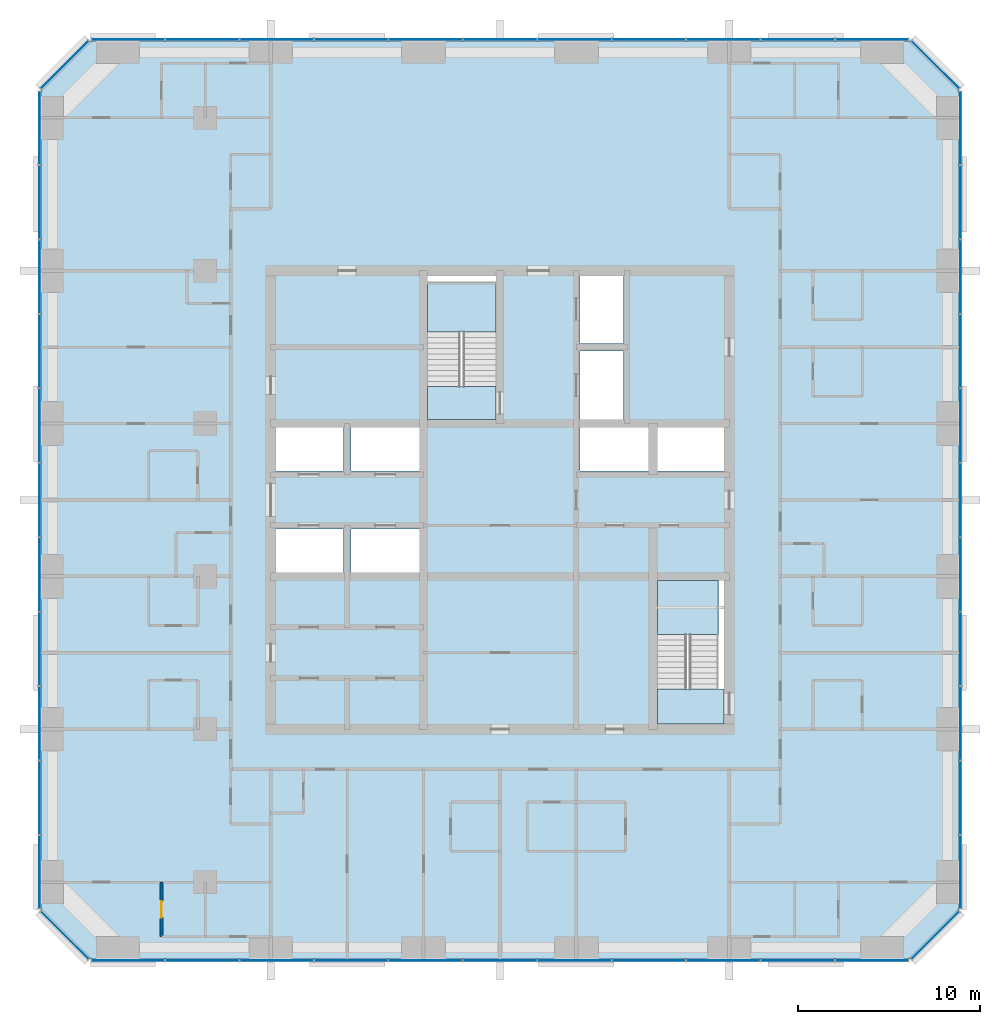
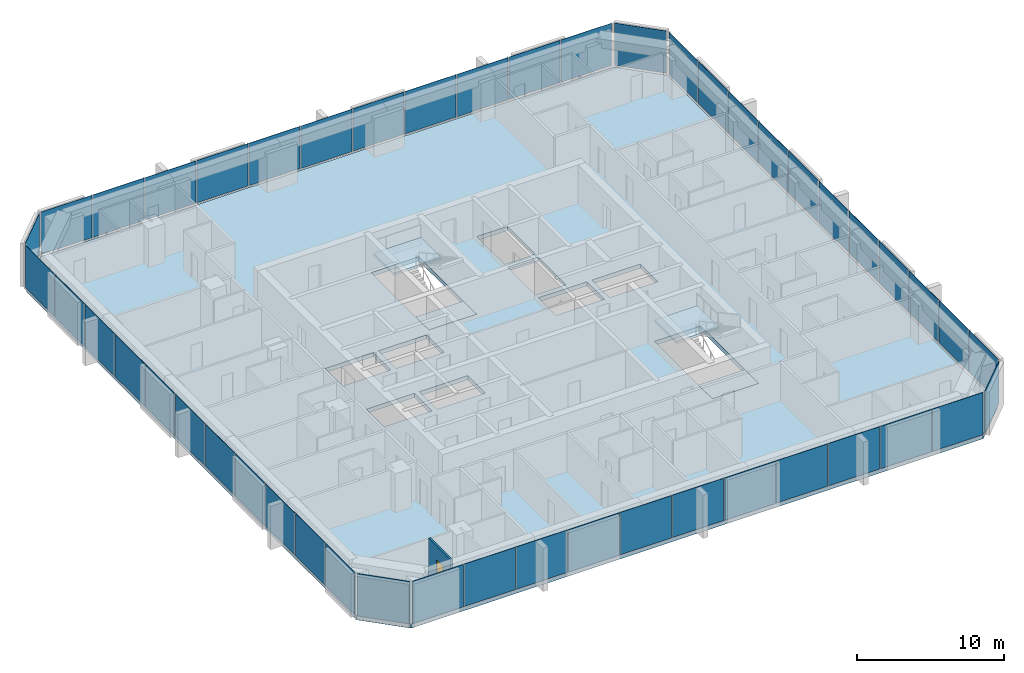
# One storey, part 7 of 13: 48 plates, 5 slabs, 1 door, 1 wall, 1 opening, 10 elements without a shape of their own.
"""IFC4 building model written with IfcOpenShell, lengths in metres."""

from ifc_helpers import new_model, si_unit, direction, frame, frame_2d, origin, origin_2d, place, context, subcontext, project, spatial, polyline, rectangle, outline, extrude, material, layer, layer_set, type_object, element, fill, aggregate, save


model = new_model("IFC4")

# Units and contexts
model_context = context("Model", 3, precision=1e-05, world=origin(), true_north=direction((0.0, 1.0)))
body_context = subcontext(model_context, "Body", "Model", "MODEL_VIEW")
ifc_project = project(units=[si_unit("LENGTHUNIT", "METRE"), si_unit("AREAUNIT", "SQUARE_METRE"), si_unit("VOLUMEUNIT", "CUBIC_METRE"), si_unit("PLANEANGLEUNIT", "RADIAN"), si_unit("MASSUNIT", "GRAM", prefix="KILO")], contexts=[model_context])

# Site, building, storey
site_placement = place(None, origin())
site = spatial("IfcSite", under=ifc_project, at=site_placement, CompositionType="ELEMENT")
building_placement = place(site_placement, origin())
building = spatial("IfcBuilding", under=site, at=building_placement, Name="Dunama Terrace Hotel", CompositionType="ELEMENT")
storey_placement = place(building_placement, frame((0.0, 0.0, 205.800048828125)))
storey = spatial("IfcBuildingStorey", under=building, at=storey_placement, Name="L53", CompositionType="ELEMENT", Elevation=205.800048828125)

# Curtain wall, plates
ifc_material_1 = material(Name="Aluminium curtain wall system", Category="aluminium")
curtain_wall_type = type_object("IfcCurtainWallType", Name="Unitised fritted glass wall CW-C", PredefinedType="NOTDEFINED", material=ifc_material_1)
curtain_wall_1_placement = place(storey_placement, origin())
curtain_wall_1 = element("IfcCurtainWall", 1, at=curtain_wall_1_placement, inside=storey, type_object=curtain_wall_type, Name="Unitised fritted glass wall CW-C L53", PredefinedType="NOTDEFINED")
ifc_material_2 = material(Name="Laminated glass", Category="glass")
ifc_layer_1 = layer(ifc_material_2, 0.031982421875)
ifc_layer_set_1 = layer_set([ifc_layer_1], Name="CWC clear glass panel")
plate_type_1 = type_object("IfcPlateType", Name="CWC clear glass panel", PredefinedType="CURTAIN_PANEL", material=ifc_layer_set_1)
plate_1_placement = place(storey_placement, frame((17.126953125, 4.10009765625, 0.079833984375), z_axis=(0.0, 0.0, 1.0), x_axis=(1.0, 0.0, 0.0)))
plate_1 = element("IfcPlate", 2, at=plate_1_placement, type_object=plate_type_1, Name="CWC clear glass panel", PredefinedType="CURTAIN_PANEL", context=body_context, shape_type="SweptSolid", body=[
    extrude(rectangle(XDim=4.02099609375, YDim=0.031982421875, at=origin_2d()), origin(), (0.0, 0.0, 1.0), 3.52001953125),
])
plate_2_placement = place(storey_placement, frame((29.39990234375, 4.10009765625, 0.079833984375), z_axis=(0.0, 0.0, 1.0), x_axis=(1.0, 0.0, 0.0)))
plate_2 = element("IfcPlate", 3, at=plate_2_placement, type_object=plate_type_1, Name="CWC clear glass panel", PredefinedType="CURTAIN_PANEL", context=body_context, shape_type="SweptSolid", body=[
    extrude(rectangle(XDim=4.02099609375, YDim=0.031982421875, at=origin_2d()), origin(), (0.0, 0.0, 1.0), 3.52001953125),
])
plate_3_placement = place(storey_placement, frame((41.673095703125, 4.10009765625, 0.079833984375), z_axis=(0.0, 0.0, 1.0), x_axis=(1.0, 0.0, 0.0)))
plate_3 = element("IfcPlate", 4, at=plate_3_placement, type_object=plate_type_1, Name="CWC clear glass panel", PredefinedType="CURTAIN_PANEL", context=body_context, shape_type="SweptSolid", body=[
    extrude(rectangle(XDim=4.02099609375, YDim=0.031982421875, at=origin_2d()), origin(), (0.0, 0.0, 1.0), 3.52001953125),
])

# Curtain wall, plate
curtain_wall_2_placement = place(storey_placement, origin())
curtain_wall_2 = element("IfcCurtainWall", 5, at=curtain_wall_2_placement, inside=storey, type_object=curtain_wall_type, Name="Unitised fritted glass wall CW-C L53", PredefinedType="NOTDEFINED")
plate_4_placement = place(storey_placement, frame((53.321044921875, 5.47900390625, 0.079833984375), z_axis=(0.0, 0.0, 1.0), x_axis=(0.707106781187, 0.707106781187, 0.0)))
plate_4 = element("IfcPlate", 6, at=plate_4_placement, type_object=plate_type_1, Name="CWC clear glass panel", PredefinedType="CURTAIN_PANEL", context=body_context, shape_type="SweptSolid", body=[
    extrude(rectangle(XDim=3.678466796875, YDim=0.031982421875, at=origin_2d()), origin(), (0.0, 0.0, 1.0), 3.52001953125),
])
aggregate(curtain_wall_2, [plate_4])

# Curtain wall, plates
curtain_wall_3_placement = place(storey_placement, origin())
curtain_wall_3 = element("IfcCurtainWall", 7, at=curtain_wall_3_placement, inside=storey, type_object=curtain_wall_type, Name="Unitised fritted glass wall CW-C L53", PredefinedType="NOTDEFINED")
plate_5_placement = place(storey_placement, frame((54.699951171875, 17.126953125, 0.079833984375), z_axis=(0.0, 0.0, 1.0), x_axis=(0.0, 1.0, 0.0)))
plate_5 = element("IfcPlate", 8, at=plate_5_placement, type_object=plate_type_1, Name="CWC clear glass panel", PredefinedType="CURTAIN_PANEL", context=body_context, shape_type="SweptSolid", body=[
    extrude(rectangle(XDim=4.02099609375, YDim=0.031982421875, at=origin_2d()), origin(), (0.0, 0.0, 1.0), 3.52001953125),
])
plate_6_placement = place(storey_placement, frame((54.699951171875, 29.39990234375, 0.079833984375), z_axis=(0.0, 0.0, 1.0), x_axis=(0.0, 1.0, 0.0)))
plate_6 = element("IfcPlate", 9, at=plate_6_placement, type_object=plate_type_1, Name="CWC clear glass panel", PredefinedType="CURTAIN_PANEL", context=body_context, shape_type="SweptSolid", body=[
    extrude(rectangle(XDim=4.02099609375, YDim=0.031982421875, at=origin_2d()), origin(), (0.0, 0.0, 1.0), 3.52001953125),
])
plate_7_placement = place(storey_placement, frame((54.699951171875, 41.673095703125, 0.079833984375), z_axis=(0.0, 0.0, 1.0), x_axis=(0.0, 1.0, 0.0)))
plate_7 = element("IfcPlate", 10, at=plate_7_placement, type_object=plate_type_1, Name="CWC clear glass panel", PredefinedType="CURTAIN_PANEL", context=body_context, shape_type="SweptSolid", body=[
    extrude(rectangle(XDim=4.02099609375, YDim=0.031982421875, at=origin_2d()), origin(), (0.0, 0.0, 1.0), 3.52001953125),
])

# Curtain wall, plate
curtain_wall_4_placement = place(storey_placement, origin())
curtain_wall_4 = element("IfcCurtainWall", 11, at=curtain_wall_4_placement, inside=storey, type_object=curtain_wall_type, Name="Unitised fritted glass wall CW-C L53", PredefinedType="NOTDEFINED")
plate_8_placement = place(storey_placement, frame((53.321044921875, 53.321044921875, 0.079833984375), z_axis=(0.0, 0.0, 1.0), x_axis=(-0.707106781187, 0.707106781187, 0.0)))
plate_8 = element("IfcPlate", 12, at=plate_8_placement, type_object=plate_type_1, Name="CWC clear glass panel", PredefinedType="CURTAIN_PANEL", context=body_context, shape_type="SweptSolid", body=[
    extrude(rectangle(XDim=3.678466796875, YDim=0.031982421875, at=origin_2d()), origin(), (0.0, 0.0, 1.0), 3.52001953125),
])
aggregate(curtain_wall_4, [plate_8])

# Curtain wall, plates
curtain_wall_5_placement = place(storey_placement, origin())
curtain_wall_5 = element("IfcCurtainWall", 13, at=curtain_wall_5_placement, inside=storey, type_object=curtain_wall_type, Name="Unitised fritted glass wall CW-C L53", PredefinedType="NOTDEFINED")
plate_9_placement = place(storey_placement, frame((41.673095703125, 54.699951171875, 0.079833984375), z_axis=(0.0, 0.0, 1.0), x_axis=(-1.0, 0.0, 0.0)))
plate_9 = element("IfcPlate", 14, at=plate_9_placement, type_object=plate_type_1, Name="CWC clear glass panel", PredefinedType="CURTAIN_PANEL", context=body_context, shape_type="SweptSolid", body=[
    extrude(rectangle(XDim=4.02099609375, YDim=0.031982421875, at=origin_2d()), origin(), (0.0, 0.0, 1.0), 3.52001953125),
])
plate_10_placement = place(storey_placement, frame((29.39990234375, 54.699951171875, 0.079833984375), z_axis=(0.0, 0.0, 1.0), x_axis=(-1.0, 0.0, 0.0)))
plate_10 = element("IfcPlate", 15, at=plate_10_placement, type_object=plate_type_1, Name="CWC clear glass panel", PredefinedType="CURTAIN_PANEL", context=body_context, shape_type="SweptSolid", body=[
    extrude(rectangle(XDim=4.02099609375, YDim=0.031982421875, at=origin_2d()), origin(), (0.0, 0.0, 1.0), 3.52001953125),
])
plate_11_placement = place(storey_placement, frame((17.126953125, 54.699951171875, 0.079833984375), z_axis=(0.0, 0.0, 1.0), x_axis=(-1.0, 0.0, 0.0)))
plate_11 = element("IfcPlate", 16, at=plate_11_placement, type_object=plate_type_1, Name="CWC clear glass panel", PredefinedType="CURTAIN_PANEL", context=body_context, shape_type="SweptSolid", body=[
    extrude(rectangle(XDim=4.02099609375, YDim=0.031982421875, at=origin_2d()), origin(), (0.0, 0.0, 1.0), 3.52001953125),
])

# Curtain wall, plate
curtain_wall_6_placement = place(storey_placement, origin())
curtain_wall_6 = element("IfcCurtainWall", 17, at=curtain_wall_6_placement, inside=storey, type_object=curtain_wall_type, Name="Unitised fritted glass wall CW-C L53", PredefinedType="NOTDEFINED")
plate_12_placement = place(storey_placement, frame((5.47900390625, 53.321044921875, 0.079833984375), z_axis=(0.0, 0.0, 1.0), x_axis=(-0.707106781187, -0.707106781187, 0.0)))
plate_12 = element("IfcPlate", 18, at=plate_12_placement, type_object=plate_type_1, Name="CWC clear glass panel", PredefinedType="CURTAIN_PANEL", context=body_context, shape_type="SweptSolid", body=[
    extrude(rectangle(XDim=3.678466796875, YDim=0.031982421875, at=origin_2d()), origin(), (0.0, 0.0, 1.0), 3.52001953125),
])
aggregate(curtain_wall_6, [plate_12])

# Curtain wall, plates
curtain_wall_7_placement = place(storey_placement, origin())
curtain_wall_7 = element("IfcCurtainWall", 19, at=curtain_wall_7_placement, inside=storey, type_object=curtain_wall_type, Name="Unitised fritted glass wall CW-C L53", PredefinedType="NOTDEFINED")
plate_13_placement = place(storey_placement, frame((4.10009765625, 41.673095703125, 0.079833984375), z_axis=(0.0, 0.0, 1.0), x_axis=(0.0, -1.0, 0.0)))
plate_13 = element("IfcPlate", 20, at=plate_13_placement, type_object=plate_type_1, Name="CWC clear glass panel", PredefinedType="CURTAIN_PANEL", context=body_context, shape_type="SweptSolid", body=[
    extrude(rectangle(XDim=4.02099609375, YDim=0.031982421875, at=origin_2d()), origin(), (0.0, 0.0, 1.0), 3.52001953125),
])
plate_14_placement = place(storey_placement, frame((4.10009765625, 29.39990234375, 0.079833984375), z_axis=(0.0, 0.0, 1.0), x_axis=(0.0, -1.0, 0.0)))
plate_14 = element("IfcPlate", 21, at=plate_14_placement, type_object=plate_type_1, Name="CWC clear glass panel", PredefinedType="CURTAIN_PANEL", context=body_context, shape_type="SweptSolid", body=[
    extrude(rectangle(XDim=4.02099609375, YDim=0.031982421875, at=origin_2d()), origin(), (0.0, 0.0, 1.0), 3.52001953125),
])
plate_15_placement = place(storey_placement, frame((4.10009765625, 17.126953125, 0.079833984375), z_axis=(0.0, 0.0, 1.0), x_axis=(0.0, -1.0, 0.0)))
plate_15 = element("IfcPlate", 22, at=plate_15_placement, type_object=plate_type_1, Name="CWC clear glass panel", PredefinedType="CURTAIN_PANEL", context=body_context, shape_type="SweptSolid", body=[
    extrude(rectangle(XDim=4.02099609375, YDim=0.031982421875, at=origin_2d()), origin(), (0.0, 0.0, 1.0), 3.52001953125),
])

# Curtain wall, plate
curtain_wall_8_placement = place(storey_placement, origin())
curtain_wall_8 = element("IfcCurtainWall", 23, at=curtain_wall_8_placement, inside=storey, type_object=curtain_wall_type, Name="Unitised fritted glass wall CW-C L53", PredefinedType="NOTDEFINED")
plate_16_placement = place(storey_placement, frame((5.47900390625, 5.47900390625, 0.079833984375), z_axis=(0.0, 0.0, 1.0), x_axis=(0.707106781187, -0.707106781187, 0.0)))
plate_16 = element("IfcPlate", 24, at=plate_16_placement, type_object=plate_type_1, Name="CWC clear glass panel", PredefinedType="CURTAIN_PANEL", context=body_context, shape_type="SweptSolid", body=[
    extrude(rectangle(XDim=3.678466796875, YDim=0.031982421875, at=origin_2d()), origin(), (0.0, 0.0, 1.0), 3.52001953125),
])
aggregate(curtain_wall_8, [plate_16])

# Plate
ifc_material_3 = material(Name="Fritted laminated glass", Category="glass")
ifc_layer_2 = layer(ifc_material_3, 0.031982421875)
ifc_layer_set_2 = layer_set([ifc_layer_2], Name="CWC fritted glass panel")
plate_type_2 = type_object("IfcPlateType", Name="CWC fritted glass panel", PredefinedType="CURTAIN_PANEL", material=ifc_layer_set_2)
plate_17_placement = place(storey_placement, frame((13.035888671875, 4.10009765625, 0.079833984375), z_axis=(0.0, 0.0, 1.0), x_axis=(1.0, 0.0, 0.0)))
plate_17 = element("IfcPlate", 25, at=plate_17_placement, type_object=plate_type_2, Name="CWC fritted glass panel", PredefinedType="CURTAIN_PANEL", context=body_context, shape_type="SweptSolid", body=[
    extrude(rectangle(XDim=4.02099609375, YDim=0.031982421875, at=origin_2d()), origin(), (0.0, 0.0, 1.0), 3.52001953125),
])

plate_18_placement = place(storey_placement, frame((25.30908203125, 4.10009765625, 0.079833984375), z_axis=(0.0, 0.0, 1.0), x_axis=(1.0, 0.0, 0.0)))
plate_18 = element("IfcPlate", 26, at=plate_18_placement, type_object=plate_type_2, Name="CWC fritted glass panel", PredefinedType="CURTAIN_PANEL", context=body_context, shape_type="SweptSolid", body=[
    extrude(rectangle(XDim=4.02099609375, YDim=0.031982421875, at=origin_2d()), origin(), (0.0, 0.0, 1.0), 3.52001953125),
])

plate_19_placement = place(storey_placement, frame((37.58203125, 4.10009765625, 0.079833984375), z_axis=(0.0, 0.0, 1.0), x_axis=(1.0, 0.0, 0.0)))
plate_19 = element("IfcPlate", 27, at=plate_19_placement, type_object=plate_type_2, Name="CWC fritted glass panel", PredefinedType="CURTAIN_PANEL", context=body_context, shape_type="SweptSolid", body=[
    extrude(rectangle(XDim=4.02099609375, YDim=0.031982421875, at=origin_2d()), origin(), (0.0, 0.0, 1.0), 3.52001953125),
])

plate_20_placement = place(storey_placement, frame((49.8369140625, 4.10009765625, 0.079833984375), z_axis=(0.0, 0.0, 1.0), x_axis=(1.0, 0.0, 0.0)))
plate_20 = element("IfcPlate", 28, at=plate_20_placement, type_object=plate_type_2, Name="CWC fritted glass panel", PredefinedType="CURTAIN_PANEL", context=body_context, shape_type="SweptSolid", body=[
    extrude(rectangle(XDim=3.98583984375, YDim=0.031982421875, at=origin_2d()), origin(), (0.0, 0.0, 1.0), 3.52001953125),
])

plate_21_placement = place(storey_placement, frame((54.699951171875, 13.035888671875, 0.079833984375), z_axis=(0.0, 0.0, 1.0), x_axis=(0.0, 1.0, 0.0)))
plate_21 = element("IfcPlate", 29, at=plate_21_placement, type_object=plate_type_2, Name="CWC fritted glass panel", PredefinedType="CURTAIN_PANEL", context=body_context, shape_type="SweptSolid", body=[
    extrude(rectangle(XDim=4.02099609375, YDim=0.031982421875, at=origin_2d()), origin(), (0.0, 0.0, 1.0), 3.52001953125),
])

plate_22_placement = place(storey_placement, frame((54.699951171875, 25.30908203125, 0.079833984375), z_axis=(0.0, 0.0, 1.0), x_axis=(0.0, 1.0, 0.0)))
plate_22 = element("IfcPlate", 30, at=plate_22_placement, type_object=plate_type_2, Name="CWC fritted glass panel", PredefinedType="CURTAIN_PANEL", context=body_context, shape_type="SweptSolid", body=[
    extrude(rectangle(XDim=4.02099609375, YDim=0.031982421875, at=origin_2d()), origin(), (0.0, 0.0, 1.0), 3.52001953125),
])

plate_23_placement = place(storey_placement, frame((54.699951171875, 37.58203125, 0.079833984375), z_axis=(0.0, 0.0, 1.0), x_axis=(0.0, 1.0, 0.0)))
plate_23 = element("IfcPlate", 31, at=plate_23_placement, type_object=plate_type_2, Name="CWC fritted glass panel", PredefinedType="CURTAIN_PANEL", context=body_context, shape_type="SweptSolid", body=[
    extrude(rectangle(XDim=4.02099609375, YDim=0.031982421875, at=origin_2d()), origin(), (0.0, 0.0, 1.0), 3.52001953125),
])

plate_24_placement = place(storey_placement, frame((54.699951171875, 49.8369140625, 0.079833984375), z_axis=(0.0, 0.0, 1.0), x_axis=(0.0, 1.0, 0.0)))
plate_24 = element("IfcPlate", 32, at=plate_24_placement, type_object=plate_type_2, Name="CWC fritted glass panel", PredefinedType="CURTAIN_PANEL", context=body_context, shape_type="SweptSolid", body=[
    extrude(rectangle(XDim=3.98583984375, YDim=0.031982421875, at=origin_2d()), origin(), (0.0, 0.0, 1.0), 3.52001953125),
])

plate_25_placement = place(storey_placement, frame((45.763916015625, 54.699951171875, 0.079833984375), z_axis=(0.0, 0.0, 1.0), x_axis=(-1.0, 0.0, 0.0)))
plate_25 = element("IfcPlate", 33, at=plate_25_placement, type_object=plate_type_2, Name="CWC fritted glass panel", PredefinedType="CURTAIN_PANEL", context=body_context, shape_type="SweptSolid", body=[
    extrude(rectangle(XDim=4.02099609375, YDim=0.031982421875, at=origin_2d()), origin(), (0.0, 0.0, 1.0), 3.52001953125),
])

plate_26_placement = place(storey_placement, frame((33.490966796875, 54.699951171875, 0.079833984375), z_axis=(0.0, 0.0, 1.0), x_axis=(-1.0, 0.0, 0.0)))
plate_26 = element("IfcPlate", 34, at=plate_26_placement, type_object=plate_type_2, Name="CWC fritted glass panel", PredefinedType="CURTAIN_PANEL", context=body_context, shape_type="SweptSolid", body=[
    extrude(rectangle(XDim=4.02099609375, YDim=0.031982421875, at=origin_2d()), origin(), (0.0, 0.0, 1.0), 3.52001953125),
])

plate_27_placement = place(storey_placement, frame((21.218017578125, 54.699951171875, 0.079833984375), z_axis=(0.0, 0.0, 1.0), x_axis=(-1.0, 0.0, 0.0)))
plate_27 = element("IfcPlate", 35, at=plate_27_placement, type_object=plate_type_2, Name="CWC fritted glass panel", PredefinedType="CURTAIN_PANEL", context=body_context, shape_type="SweptSolid", body=[
    extrude(rectangle(XDim=4.02099609375, YDim=0.031982421875, at=origin_2d()), origin(), (0.0, 0.0, 1.0), 3.52001953125),
])

plate_28_placement = place(storey_placement, frame((8.962890625, 54.699951171875, 0.079833984375), z_axis=(0.0, 0.0, 1.0), x_axis=(-1.0, 0.0, 0.0)))
plate_28 = element("IfcPlate", 36, at=plate_28_placement, type_object=plate_type_2, Name="CWC fritted glass panel", PredefinedType="CURTAIN_PANEL", context=body_context, shape_type="SweptSolid", body=[
    extrude(rectangle(XDim=3.98583984375, YDim=0.031982421875, at=origin_2d()), origin(), (0.0, 0.0, 1.0), 3.52001953125),
])

plate_29_placement = place(storey_placement, frame((4.10009765625, 45.763916015625, 0.079833984375), z_axis=(0.0, 0.0, 1.0), x_axis=(0.0, -1.0, 0.0)))
plate_29 = element("IfcPlate", 37, at=plate_29_placement, type_object=plate_type_2, Name="CWC fritted glass panel", PredefinedType="CURTAIN_PANEL", context=body_context, shape_type="SweptSolid", body=[
    extrude(rectangle(XDim=4.02099609375, YDim=0.031982421875, at=origin_2d()), origin(), (0.0, 0.0, 1.0), 3.52001953125),
])

plate_30_placement = place(storey_placement, frame((4.10009765625, 33.490966796875, 0.079833984375), z_axis=(0.0, 0.0, 1.0), x_axis=(0.0, -1.0, 0.0)))
plate_30 = element("IfcPlate", 38, at=plate_30_placement, type_object=plate_type_2, Name="CWC fritted glass panel", PredefinedType="CURTAIN_PANEL", context=body_context, shape_type="SweptSolid", body=[
    extrude(rectangle(XDim=4.02099609375, YDim=0.031982421875, at=origin_2d()), origin(), (0.0, 0.0, 1.0), 3.52001953125),
])

plate_31_placement = place(storey_placement, frame((4.10009765625, 21.218017578125, 0.079833984375), z_axis=(0.0, 0.0, 1.0), x_axis=(0.0, -1.0, 0.0)))
plate_31 = element("IfcPlate", 39, at=plate_31_placement, type_object=plate_type_2, Name="CWC fritted glass panel", PredefinedType="CURTAIN_PANEL", context=body_context, shape_type="SweptSolid", body=[
    extrude(rectangle(XDim=4.02099609375, YDim=0.031982421875, at=origin_2d()), origin(), (0.0, 0.0, 1.0), 3.52001953125),
])

plate_32_placement = place(storey_placement, frame((4.10009765625, 8.962890625, 0.079833984375), z_axis=(0.0, 0.0, 1.0), x_axis=(0.0, -1.0, 0.0)))
plate_32 = element("IfcPlate", 40, at=plate_32_placement, type_object=plate_type_2, Name="CWC fritted glass panel", PredefinedType="CURTAIN_PANEL", context=body_context, shape_type="SweptSolid", body=[
    extrude(rectangle(XDim=3.98583984375, YDim=0.031982421875, at=origin_2d()), origin(), (0.0, 0.0, 1.0), 3.52001953125),
])

ifc_material_4 = material(Name="Laminated glass", Category="glass")
ifc_layer_3 = layer(ifc_material_4, 0.031982421875)
ifc_layer_set_3 = layer_set([ifc_layer_3], Name="CWC operable glass panel")
plate_type_3 = type_object("IfcPlateType", Name="CWC operable glass panel", PredefinedType="CURTAIN_PANEL", material=ifc_layer_set_3)
plate_33_placement = place(storey_placement, frame((8.962890625, 4.10009765625, 0.079833984375), z_axis=(0.0, 0.0, 1.0), x_axis=(1.0, 0.0, 0.0)))
plate_33 = element("IfcPlate", 41, at=plate_33_placement, type_object=plate_type_3, Name="CWC operable glass panel", PredefinedType="CURTAIN_PANEL", context=body_context, shape_type="SweptSolid", body=[
    extrude(rectangle(XDim=3.98583984375, YDim=0.031982421875, at=origin_2d()), origin(), (0.0, 0.0, 1.0), 3.52001953125),
])

plate_34_placement = place(storey_placement, frame((21.218017578125, 4.10009765625, 0.079833984375), z_axis=(0.0, 0.0, 1.0), x_axis=(1.0, 0.0, 0.0)))
plate_34 = element("IfcPlate", 42, at=plate_34_placement, type_object=plate_type_3, Name="CWC operable glass panel", PredefinedType="CURTAIN_PANEL", context=body_context, shape_type="SweptSolid", body=[
    extrude(rectangle(XDim=4.02099609375, YDim=0.031982421875, at=origin_2d()), origin(), (0.0, 0.0, 1.0), 3.52001953125),
])

plate_35_placement = place(storey_placement, frame((33.490966796875, 4.10009765625, 0.079833984375), z_axis=(0.0, 0.0, 1.0), x_axis=(1.0, 0.0, 0.0)))
plate_35 = element("IfcPlate", 43, at=plate_35_placement, type_object=plate_type_3, Name="CWC operable glass panel", PredefinedType="CURTAIN_PANEL", context=body_context, shape_type="SweptSolid", body=[
    extrude(rectangle(XDim=4.02099609375, YDim=0.031982421875, at=origin_2d()), origin(), (0.0, 0.0, 1.0), 3.52001953125),
])

plate_36_placement = place(storey_placement, frame((45.763916015625, 4.10009765625, 0.079833984375), z_axis=(0.0, 0.0, 1.0), x_axis=(1.0, 0.0, 0.0)))
plate_36 = element("IfcPlate", 44, at=plate_36_placement, type_object=plate_type_3, Name="CWC operable glass panel", PredefinedType="CURTAIN_PANEL", context=body_context, shape_type="SweptSolid", body=[
    extrude(rectangle(XDim=4.02099609375, YDim=0.031982421875, at=origin_2d()), origin(), (0.0, 0.0, 1.0), 3.52001953125),
])

aggregate(curtain_wall_1, [plate_33, plate_17, plate_1, plate_34, plate_18, plate_2, plate_35, plate_19, plate_3, plate_36, plate_20])

plate_37_placement = place(storey_placement, frame((54.699951171875, 8.962890625, 0.079833984375), z_axis=(0.0, 0.0, 1.0), x_axis=(0.0, 1.0, 0.0)))
plate_37 = element("IfcPlate", 45, at=plate_37_placement, type_object=plate_type_3, Name="CWC operable glass panel", PredefinedType="CURTAIN_PANEL", context=body_context, shape_type="SweptSolid", body=[
    extrude(rectangle(XDim=3.98583984375, YDim=0.031982421875, at=origin_2d()), origin(), (0.0, 0.0, 1.0), 3.52001953125),
])

plate_38_placement = place(storey_placement, frame((54.699951171875, 21.218017578125, 0.079833984375), z_axis=(0.0, 0.0, 1.0), x_axis=(0.0, 1.0, 0.0)))
plate_38 = element("IfcPlate", 46, at=plate_38_placement, type_object=plate_type_3, Name="CWC operable glass panel", PredefinedType="CURTAIN_PANEL", context=body_context, shape_type="SweptSolid", body=[
    extrude(rectangle(XDim=4.02099609375, YDim=0.031982421875, at=origin_2d()), origin(), (0.0, 0.0, 1.0), 3.52001953125),
])

plate_39_placement = place(storey_placement, frame((54.699951171875, 33.490966796875, 0.079833984375), z_axis=(0.0, 0.0, 1.0), x_axis=(0.0, 1.0, 0.0)))
plate_39 = element("IfcPlate", 47, at=plate_39_placement, type_object=plate_type_3, Name="CWC operable glass panel", PredefinedType="CURTAIN_PANEL", context=body_context, shape_type="SweptSolid", body=[
    extrude(rectangle(XDim=4.02099609375, YDim=0.031982421875, at=origin_2d()), origin(), (0.0, 0.0, 1.0), 3.52001953125),
])

plate_40_placement = place(storey_placement, frame((54.699951171875, 45.763916015625, 0.079833984375), z_axis=(0.0, 0.0, 1.0), x_axis=(0.0, 1.0, 0.0)))
plate_40 = element("IfcPlate", 48, at=plate_40_placement, type_object=plate_type_3, Name="CWC operable glass panel", PredefinedType="CURTAIN_PANEL", context=body_context, shape_type="SweptSolid", body=[
    extrude(rectangle(XDim=4.02099609375, YDim=0.031982421875, at=origin_2d()), origin(), (0.0, 0.0, 1.0), 3.52001953125),
])

aggregate(curtain_wall_3, [plate_37, plate_21, plate_5, plate_38, plate_22, plate_6, plate_39, plate_23, plate_7, plate_40, plate_24])

plate_41_placement = place(storey_placement, frame((49.8369140625, 54.699951171875, 0.079833984375), z_axis=(0.0, 0.0, 1.0), x_axis=(-1.0, 0.0, 0.0)))
plate_41 = element("IfcPlate", 49, at=plate_41_placement, type_object=plate_type_3, Name="CWC operable glass panel", PredefinedType="CURTAIN_PANEL", context=body_context, shape_type="SweptSolid", body=[
    extrude(rectangle(XDim=3.98583984375, YDim=0.031982421875, at=origin_2d()), origin(), (0.0, 0.0, 1.0), 3.52001953125),
])

plate_42_placement = place(storey_placement, frame((37.58203125, 54.699951171875, 0.079833984375), z_axis=(0.0, 0.0, 1.0), x_axis=(-1.0, 0.0, 0.0)))
plate_42 = element("IfcPlate", 50, at=plate_42_placement, type_object=plate_type_3, Name="CWC operable glass panel", PredefinedType="CURTAIN_PANEL", context=body_context, shape_type="SweptSolid", body=[
    extrude(rectangle(XDim=4.02099609375, YDim=0.031982421875, at=origin_2d()), origin(), (0.0, 0.0, 1.0), 3.52001953125),
])

plate_43_placement = place(storey_placement, frame((25.30908203125, 54.699951171875, 0.079833984375), z_axis=(0.0, 0.0, 1.0), x_axis=(-1.0, 0.0, 0.0)))
plate_43 = element("IfcPlate", 51, at=plate_43_placement, type_object=plate_type_3, Name="CWC operable glass panel", PredefinedType="CURTAIN_PANEL", context=body_context, shape_type="SweptSolid", body=[
    extrude(rectangle(XDim=4.02099609375, YDim=0.031982421875, at=origin_2d()), origin(), (0.0, 0.0, 1.0), 3.52001953125),
])

plate_44_placement = place(storey_placement, frame((13.035888671875, 54.699951171875, 0.079833984375), z_axis=(0.0, 0.0, 1.0), x_axis=(-1.0, 0.0, 0.0)))
plate_44 = element("IfcPlate", 52, at=plate_44_placement, type_object=plate_type_3, Name="CWC operable glass panel", PredefinedType="CURTAIN_PANEL", context=body_context, shape_type="SweptSolid", body=[
    extrude(rectangle(XDim=4.02099609375, YDim=0.031982421875, at=origin_2d()), origin(), (0.0, 0.0, 1.0), 3.52001953125),
])

aggregate(curtain_wall_5, [plate_41, plate_25, plate_9, plate_42, plate_26, plate_10, plate_43, plate_27, plate_11, plate_44, plate_28])

plate_45_placement = place(storey_placement, frame((4.10009765625, 49.8369140625, 0.079833984375), z_axis=(0.0, 0.0, 1.0), x_axis=(0.0, -1.0, 0.0)))
plate_45 = element("IfcPlate", 53, at=plate_45_placement, type_object=plate_type_3, Name="CWC operable glass panel", PredefinedType="CURTAIN_PANEL", context=body_context, shape_type="SweptSolid", body=[
    extrude(rectangle(XDim=3.98583984375, YDim=0.031982421875, at=origin_2d()), origin(), (0.0, 0.0, 1.0), 3.52001953125),
])

plate_46_placement = place(storey_placement, frame((4.10009765625, 37.58203125, 0.079833984375), z_axis=(0.0, 0.0, 1.0), x_axis=(0.0, -1.0, 0.0)))
plate_46 = element("IfcPlate", 54, at=plate_46_placement, type_object=plate_type_3, Name="CWC operable glass panel", PredefinedType="CURTAIN_PANEL", context=body_context, shape_type="SweptSolid", body=[
    extrude(rectangle(XDim=4.02099609375, YDim=0.031982421875, at=origin_2d()), origin(), (0.0, 0.0, 1.0), 3.52001953125),
])

plate_47_placement = place(storey_placement, frame((4.10009765625, 25.30908203125, 0.079833984375), z_axis=(0.0, 0.0, 1.0), x_axis=(0.0, -1.0, 0.0)))
plate_47 = element("IfcPlate", 55, at=plate_47_placement, type_object=plate_type_3, Name="CWC operable glass panel", PredefinedType="CURTAIN_PANEL", context=body_context, shape_type="SweptSolid", body=[
    extrude(rectangle(XDim=4.02099609375, YDim=0.031982421875, at=origin_2d()), origin(), (0.0, 0.0, 1.0), 3.52001953125),
])

plate_48_placement = place(storey_placement, frame((4.10009765625, 13.035888671875, 0.079833984375), z_axis=(0.0, 0.0, 1.0), x_axis=(0.0, -1.0, 0.0)))
plate_48 = element("IfcPlate", 56, at=plate_48_placement, type_object=plate_type_3, Name="CWC operable glass panel", PredefinedType="CURTAIN_PANEL", context=body_context, shape_type="SweptSolid", body=[
    extrude(rectangle(XDim=4.02099609375, YDim=0.031982421875, at=origin_2d()), origin(), (0.0, 0.0, 1.0), 3.52001953125),
])

aggregate(curtain_wall_7, [plate_45, plate_29, plate_13, plate_46, plate_30, plate_14, plate_47, plate_31, plate_15, plate_48, plate_32])

# Slab
ifc_material_5 = material(Name="Concrete C40/50", Category="concrete")
ifc_layer_4 = layer(ifc_material_5, 0.35009765625)
ifc_layer_set_4 = layer_set([ifc_layer_4], Name="Flat plate 350")
slab_type_1 = type_object("IfcSlabType", Name="Flat plate 350", PredefinedType="FLOOR", material=ifc_layer_set_4)
slab_1_placement = place(storey_placement, frame((0.0, 0.0, -0.35009765625)))
element("IfcSlab", 57, at=slab_1_placement, inside=storey, type_object=slab_type_1, Name="Floor slab L53", PredefinedType="FLOOR", context=body_context, shape_type="SweptSolid", body=[
    extrude(outline(polyline([(6.89990234375, 4.199951171875), (51.89990234375, 4.199951171875), (54.60009765625, 6.89990234375), (54.60009765625, 51.89990234375), (51.89990234375, 54.60009765625), (6.89990234375, 54.60009765625), (4.199951171875, 51.89990234375), (4.199951171875, 6.89990234375), (6.89990234375, 4.199951171875)]), holes=[polyline([(20.800048828125, 25.39990234375), (20.800048828125, 27.800048828125), (17.0, 27.800048828125), (17.0, 25.39990234375), (20.800048828125, 25.39990234375)]), polyline([(25.0, 25.39990234375), (25.0, 27.800048828125), (21.199951171875, 27.800048828125), (21.199951171875, 25.39990234375), (25.0, 25.39990234375)]), polyline([(20.800048828125, 31.0), (20.800048828125, 33.39990234375), (17.0, 33.39990234375), (17.0, 31.0), (20.800048828125, 31.0)]), polyline([(25.0, 31.0), (25.0, 33.39990234375), (21.199951171875, 33.39990234375), (21.199951171875, 31.0), (25.0, 31.0)]), polyline([(37.60009765625, 31.0), (37.60009765625, 33.39990234375), (33.800048828125, 33.39990234375), (33.800048828125, 31.0), (37.60009765625, 31.0)]), polyline([(41.800048828125, 31.0), (41.800048828125, 33.39990234375), (38.0, 33.39990234375), (38.0, 31.0), (41.800048828125, 31.0)]), polyline([(36.199951171875, 38.0), (36.199951171875, 41.800048828125), (33.800048828125, 41.800048828125), (33.800048828125, 38.0), (36.199951171875, 38.0)]), polyline([(36.199951171875, 33.800048828125), (36.199951171875, 37.60009765625), (33.800048828125, 37.60009765625), (33.800048828125, 33.800048828125), (36.199951171875, 33.800048828125)]), polyline([(29.175048828125, 33.824951171875), (29.175048828125, 41.699951171875), (25.425048828125, 41.699951171875), (25.425048828125, 33.824951171875), (29.175048828125, 33.824951171875)]), polyline([(41.699951171875, 17.10009765625), (41.699951171875, 24.97509765625), (38.050048828125, 24.97509765625), (38.050048828125, 17.10009765625), (41.699951171875, 17.10009765625)])]), origin(), (0.0, 0.0, 1.0), 0.35009765625),
])

# Stair, slabs
ifc_material_6 = material(Name="Concrete C40/50", Category="concrete")
stair_type_1 = type_object("IfcStairType", Name="Stair ST1-3600-1800", PredefinedType="HALF_TURN_STAIR", material=ifc_material_6)
stair_1_placement = place(storey_placement, origin())
stair_1 = element("IfcStair", 58, at=stair_1_placement, inside=storey, type_object=stair_type_1, Name="Stair ST1 L53", PredefinedType="HALF_TURN_STAIR")
ifc_material_7 = material(Name="Concrete C40/50", Category="concrete")
ifc_layer_5 = layer(ifc_material_7, 0.199951171875)
ifc_layer_set_5 = layer_set([ifc_layer_5], Name="Stair landing 200")
slab_type_2 = type_object("IfcSlabType", Name="Stair landing 200", PredefinedType="LANDING", material=ifc_layer_set_5)
slab_2_placement = place(storey_placement, frame((0.0, 0.0, -0.199951171875)))
slab_2 = element("IfcSlab", 59, at=slab_2_placement, type_object=slab_type_2, Name="ST1 landing 1, type S10", PredefinedType="LANDING", context=body_context, shape_type="SweptSolid", body=[
    extrude(outline(polyline([(25.425048828125, 33.824951171875), (29.175048828125, 33.824951171875), (29.175048828125, 35.625), (25.425048828125, 35.625), (25.425048828125, 33.824951171875)])), origin(), (0.0, 0.0, 1.0), 0.199951171875),
])
slab_3_placement = place(storey_placement, frame((0.0, 0.0, 1.599853515625)))
slab_3 = element("IfcSlab", 60, at=slab_3_placement, type_object=slab_type_2, Name="ST1 landing 2, type S10", PredefinedType="LANDING", context=body_context, shape_type="SweptSolid", body=[
    extrude(outline(polyline([(25.425048828125, 38.625), (29.175048828125, 38.625), (29.175048828125, 41.39990234375), (25.425048828125, 41.39990234375), (25.425048828125, 38.625)])), origin(), (0.0, 0.0, 1.0), 0.2001953125),
])
aggregate(stair_1, [slab_2, slab_3])

ifc_material_8 = material(Name="Concrete C40/50", Category="concrete")
stair_type_2 = type_object("IfcStairType", Name="Stair ST2-3600-1600", PredefinedType="HALF_TURN_STAIR", material=ifc_material_8)
stair_2_placement = place(storey_placement, origin())
stair_2 = element("IfcStair", 61, at=stair_2_placement, inside=storey, type_object=stair_type_2, Name="Stair ST2 L53", PredefinedType="HALF_TURN_STAIR")
slab_4_placement = place(storey_placement, frame((0.0, 0.0, -0.199951171875)))
slab_4 = element("IfcSlab", 62, at=slab_4_placement, type_object=slab_type_2, Name="ST2 landing 1, type S10", PredefinedType="LANDING", context=body_context, shape_type="SweptSolid", body=[
    extrude(outline(polyline([(38.050048828125, 17.10009765625), (41.699951171875, 17.10009765625), (41.699951171875, 19.0), (38.050048828125, 19.0), (38.050048828125, 17.10009765625)])), origin(), (0.0, 0.0, 1.0), 0.199951171875),
])
slab_5_placement = place(storey_placement, frame((0.0, 0.0, 1.599853515625)))
slab_5 = element("IfcSlab", 63, at=slab_5_placement, type_object=slab_type_2, Name="ST2 landing 2, type S10", PredefinedType="LANDING", context=body_context, shape_type="SweptSolid", body=[
    extrude(outline(polyline([(38.050048828125, 22.0), (41.39990234375, 22.0), (41.39990234375, 24.97509765625), (38.050048828125, 24.97509765625), (38.050048828125, 22.0)])), origin(), (0.0, 0.0, 1.0), 0.2001953125),
])
aggregate(stair_2, [slab_4, slab_5])

# Wall, opening, door
ifc_material_9 = material(Name="Gypsum board partition", Category="masonry")
ifc_layer_6 = layer(ifc_material_9, 0.14990234375)
ifc_layer_set_6 = layer_set([ifc_layer_6], Name="Room partition 150")
wall_type = type_object("IfcWallType", Name="Room partition 150", PredefinedType="PARTITIONING", material=ifc_layer_set_6)
wall_placement = place(storey_placement, frame((10.800048828125, 5.39990234375, 0.0), z_axis=(0.0, 0.0, 1.0), x_axis=(0.0, 1.0, 0.0)))
wall = element("IfcWall", 64, at=wall_placement, inside=storey, type_object=wall_type, Name="Room partition 150 L53", PredefinedType="PARTITIONING", context=body_context, shape_type="SweptSolid", body=[
    extrude(rectangle(XDim=3.0, YDim=0.14990234375, at=frame_2d((1.5, 0.0))), origin(), (0.0, 0.0, 1.0), 3.25),
])
opening_placement = place(wall_placement, frame((1.050048828125, 0.0, 0.0)))
opening = element("IfcOpeningElement", 65, at=opening_placement, cuts=wall, Name="Opening L53-54-044", PredefinedType="OPENING", context=body_context, shape_type="SweptSolid", body=[
    extrude(rectangle(XDim=0.89990234375, YDim=2.10009765625, at=frame_2d((0.449951171875, 1.050048828125))), frame((0.0, 0.0849609375, 0.0), z_axis=(0.0, -1.0, 0.0), x_axis=(1.0, 0.0, 0.0)), (0.0, 0.0, 1.0), 0.169921875),
])
ifc_material_10 = material(Name="Timber door with steel frame", Category="steel")
door_type = type_object("IfcDoorType", Name="Suite internal door 900", OperationType="SINGLE_SWING_LEFT", PredefinedType="DOOR", material=ifc_material_10)
door_placement = place(opening_placement, frame((0.89990234375, 0.0, 0.0), z_axis=(0.0, 0.0, 1.0), x_axis=(-1.0, 0.0, 0.0)))
door = element("IfcDoor", 66, at=door_placement, inside=storey, type_object=door_type, Name="Door to dressing room L53-54-044, type D16", OperationType="SINGLE_SWING_LEFT", OverallHeight=2.10009765625, OverallWidth=0.89990234375, PredefinedType="DOOR", context=body_context, shape_type="SweptSolid", body=[
    extrude(rectangle(XDim=0.89990234375, YDim=2.10009765625, at=frame_2d((0.449951171875, 1.050048828125))), frame((0.0, 0.025146484375, 0.0), z_axis=(0.0, -1.0, 0.0), x_axis=(1.0, 0.0, 0.0)), (0.0, 0.0, 1.0), 0.050048828125),
])
fill(opening, door)

save(model, "model.ifc")
